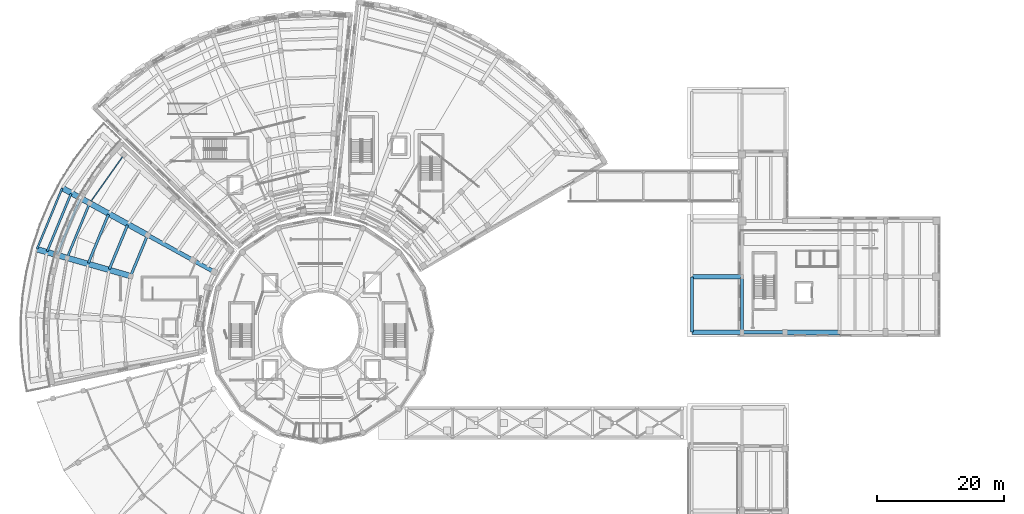
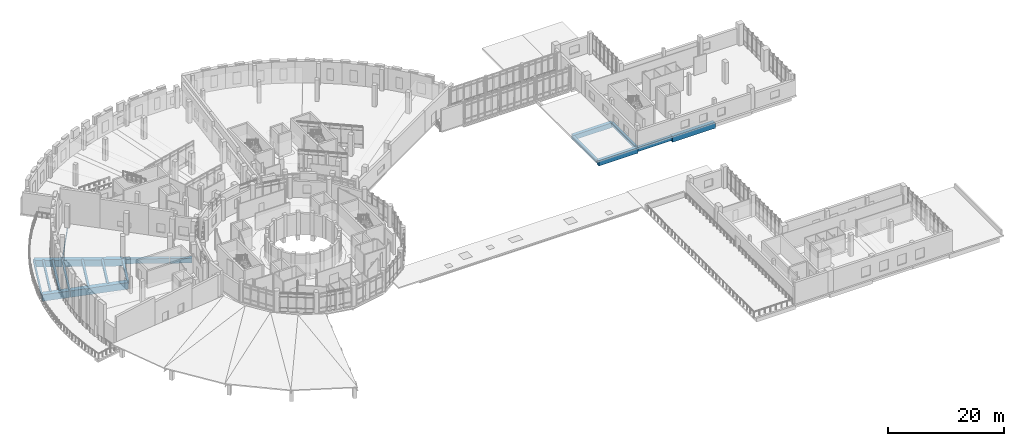
# One storey, part 17 of 75: 20 beams.
"""IFC4 building model written with IfcOpenShell, lengths in metres."""

from ifc_helpers import new_model, si_unit, direction, frame, origin, origin_2d, place, context, subcontext, project, spatial, rectangle, i_section, extrude, material, material_profile, profile_set, type_object, element, save


model = new_model("IFC4")

# Units and contexts
model_context = context("Model", 3, precision=1e-05, world=origin(), true_north=direction((0.0, 1.0)))
body_context = subcontext(model_context, "Body", "Model", "MODEL_VIEW")
ifc_project = project(units=[si_unit("LENGTHUNIT", "METRE"), si_unit("AREAUNIT", "SQUARE_METRE"), si_unit("VOLUMEUNIT", "CUBIC_METRE"), si_unit("PLANEANGLEUNIT", "RADIAN"), si_unit("MASSUNIT", "GRAM", prefix="KILO")], contexts=[model_context])

# Site, building, storey
site_placement = place(None, origin())
site = spatial("IfcSite", under=ifc_project, at=site_placement, CompositionType="ELEMENT")
building_placement = place(site_placement, origin())
building = spatial("IfcBuilding", under=site, at=building_placement, Name="Soyqirgoq Riverine Aquarium", CompositionType="ELEMENT")
storey_placement = place(building_placement, frame((0.0, 0.0, 10.199951171875)))
storey = spatial("IfcBuildingStorey", under=building, at=storey_placement, Name="L03", CompositionType="ELEMENT", Elevation=10.199951171875)

# Beams
ifc_material_1 = material(Name="Concrete C40/50", Category="concrete")
ifc_material_profile_1 = material_profile(ifc_material_1, rectangle(XDim=0.35009765625, YDim=0.60009765625, at=origin_2d()), Name="RC 350x600")
ifc_profile_set_1 = profile_set([ifc_material_profile_1], Name="Concrete C40/50")
beam_type_1 = type_object("IfcBeamType", Name="Beam_RC_350x600", PredefinedType="JOIST", material=ifc_profile_set_1)
beam_1_placement = place(storey_placement, frame((16.580078125, 78.602294921875, -0.579833984375), z_axis=(-0.381878309596, -0.924212614424, 0.0), x_axis=(0.924212614424, -0.381878309596, 0.0)))
element("IfcBeam", 1, at=beam_1_placement, inside=storey, type_object=beam_type_1, Name="V3 L03 Secondary Floor Joist 0457", PredefinedType="JOIST", context=body_context, shape_type="SweptSolid", body=[
    extrude(rectangle(XDim=0.35009765625, YDim=0.60009765625, at=origin_2d()), origin(), (0.0, 0.0, 1.0), 9.822998046875),
])
ifc_material_2 = material(Name="Concrete C40/50", Category="concrete")
ifc_material_profile_2 = material_profile(ifc_material_2, rectangle(XDim=0.39990234375, YDim=0.60009765625, at=origin_2d()), Name="RC 400x600")
ifc_profile_set_2 = profile_set([ifc_material_profile_2], Name="Concrete C40/50")
beam_type_2 = type_object("IfcBeamType", Name="Beam_RC_400x600", PredefinedType="JOIST", material=ifc_profile_set_2)
beam_2_placement = place(storey_placement, frame((22.50244140625, 75.332763671875, -0.579833984375), z_axis=(-0.381876463653, -0.924213377153, 0.0), x_axis=(0.924213377153, -0.381876463653, 0.0)))
element("IfcBeam", 2, at=beam_2_placement, inside=storey, type_object=beam_type_2, Name="V3 L03 Secondary Floor Joist 0445", PredefinedType="JOIST", context=body_context, shape_type="SweptSolid", body=[
    extrude(rectangle(XDim=0.39990234375, YDim=0.60009765625, at=origin_2d()), origin(), (0.0, 0.0, 1.0), 8.302734375),
])
beam_3_placement = place(storey_placement, frame((18.010009765625, 77.812744140625, -0.579833984375), z_axis=(-0.381863720074, -0.92421864258, 0.0), x_axis=(0.92421864258, -0.381863720074, 0.0)))
element("IfcBeam", 3, at=beam_3_placement, inside=storey, type_object=beam_type_2, Name="V3 L03 Secondary Floor Joist 0456", PredefinedType="JOIST", context=body_context, shape_type="SweptSolid", body=[
    extrude(rectangle(XDim=0.39990234375, YDim=0.60009765625, at=origin_2d()), origin(), (0.0, 0.0, 1.0), 9.455810546875),
])
ifc_material_3 = material(Name="Concrete C40/50", Category="concrete")
ifc_material_profile_3 = material_profile(ifc_material_3, rectangle(XDim=0.39990234375, YDim=0.64990234375, at=origin_2d()), Name="RC 400x650")
ifc_profile_set_3 = profile_set([ifc_material_profile_3], Name="Concrete C40/50")
beam_type_3 = type_object("IfcBeamType", Name="Beam_RC_400x650", PredefinedType="BEAM", material=ifc_profile_set_3)
beam_4_placement = place(storey_placement, frame((28.66650390625, 72.0322265625, -0.60498046875), z_axis=(-0.381899251328, -0.924203961166, 0.0), x_axis=(0.924203961166, -0.381899251328, 0.0)))
element("IfcBeam", 4, at=beam_4_placement, inside=storey, type_object=beam_type_3, Name="V3 L03 Wedge Chord Beam 0439", PredefinedType="BEAM", context=body_context, shape_type="SweptSolid", body=[
    extrude(rectangle(XDim=0.39990234375, YDim=0.64990234375, at=origin_2d()), origin(), (0.0, 0.0, 1.0), 6.909912109375),
])
beam_5_placement = place(storey_placement, frame((25.521484375, 73.666015625, -0.60498046875), z_axis=(-0.38187337807, -0.924214652081, 0.0), x_axis=(0.924214652081, -0.38187337807, 0.0)))
element("IfcBeam", 5, at=beam_5_placement, inside=storey, type_object=beam_type_3, Name="V3 L03 Secondary Floor Joist 0444", PredefinedType="BEAM", context=body_context, shape_type="SweptSolid", body=[
    extrude(rectangle(XDim=0.39990234375, YDim=0.64990234375, at=origin_2d()), origin(), (0.0, 0.0, 1.0), 7.528076171875),
])
ifc_material_4 = material(Name="Concrete C40/50", Category="concrete")
ifc_material_profile_4 = material_profile(ifc_material_4, rectangle(XDim=0.419921875, YDim=0.679931640625, at=origin_2d()), Name="RC 420x680")
ifc_profile_set_4 = profile_set([ifc_material_profile_4], Name="Concrete C40/50")
beam_type_4 = type_object("IfcBeamType", Name="Beam_RC_420x680", PredefinedType="BEAM", material=ifc_profile_set_4)
beam_6_placement = place(storey_placement, frame((122.60009765625, 56.75, -0.68994140625), z_axis=(0.0, 1.0, 0.0), x_axis=(-1.0, 0.0, 0.0)))
element("IfcBeam", 6, at=beam_6_placement, inside=storey, type_object=beam_type_4, Name="V7 L03 North-South Frame Beam 1366", PredefinedType="BEAM", context=body_context, shape_type="SweptSolid", body=[
    extrude(rectangle(XDim=0.419921875, YDim=0.679931640625, at=origin_2d()), origin(), (0.0, 0.0, 1.0), 8.699951171875),
])
ifc_material_5 = material(Name="Concrete C40/50", Category="concrete")
ifc_material_profile_5 = material_profile(ifc_material_5, rectangle(XDim=0.449951171875, YDim=0.64990234375, at=origin_2d()), Name="RC 450x650")
ifc_profile_set_5 = profile_set([ifc_material_profile_5], Name="Concrete C40/50")
beam_type_5 = type_object("IfcBeamType", Name="Beam_RC_450x650", PredefinedType="BEAM", material=ifc_profile_set_5)
beam_7_placement = place(storey_placement, frame((114.699951171875, 56.75, -0.675048828125), z_axis=(0.0, 1.0, 0.0), x_axis=(-1.0, 0.0, 0.0)))
element("IfcBeam", 7, at=beam_7_placement, inside=storey, type_object=beam_type_5, Name="V7 L03 North-South Frame Beam 1357", PredefinedType="BEAM", context=body_context, shape_type="SweptSolid", body=[
    extrude(rectangle(XDim=0.449951171875, YDim=0.64990234375, at=origin_2d()), origin(), (0.0, 0.0, 1.0), 8.699951171875),
])
ifc_material_6 = material(Name="Concrete C40/50", Category="concrete")
ifc_material_profile_6 = material_profile(ifc_material_6, rectangle(XDim=0.550048828125, YDim=0.85009765625, at=origin_2d()), Name="RC 550x850")
ifc_profile_set_6 = profile_set([ifc_material_profile_6], Name="Concrete C40/50")
beam_type_6 = type_object("IfcBeamType", Name="Girder_RC_550x850", PredefinedType="BEAM", material=ifc_profile_set_6)
beam_8_placement = place(storey_placement, frame((122.6201171875, 56.699951171875, -0.77490234375), z_axis=(1.0, 0.0, 0.0), x_axis=(0.0, 1.0, 0.0)))
element("IfcBeam", 8, at=beam_8_placement, inside=storey, type_object=beam_type_6, Name="V7 L03 East-West Frame Girder 1367", PredefinedType="BEAM", context=body_context, shape_type="SweptSolid", body=[
    extrude(rectangle(XDim=0.550048828125, YDim=0.85009765625, at=origin_2d()), origin(), (0.0, 0.0, 1.0), 6.759765625),
])
ifc_material_7 = material(Name="Concrete C40/50", Category="concrete")
ifc_material_profile_7 = material_profile(ifc_material_7, rectangle(XDim=0.64990234375, YDim=1.0, at=origin_2d()), Name="RC 650x1000")
ifc_profile_set_7 = profile_set([ifc_material_profile_7], Name="Concrete C40/50")
beam_type_7 = type_object("IfcBeamType", Name="Girder_RC_650x1000", PredefinedType="BEAM", material=ifc_profile_set_7)
beam_9_placement = place(storey_placement, frame((39.147216796875, 66.30322265625, -0.780029296875), z_axis=(-0.875468460736, 0.483275257235, 0.0), x_axis=(-0.483275257235, -0.875468460736, 0.0)))
element("IfcBeam", 9, at=beam_9_placement, inside=storey, type_object=beam_type_7, Name="V3 L03 Wedge Radial Girder 0416", PredefinedType="BEAM", context=body_context, shape_type="SweptSolid", body=[
    extrude(rectangle(XDim=0.64990234375, YDim=1.0, at=origin_2d()), origin(), (0.0, 0.0, 1.0), 3.75),
])
beam_10_placement = place(storey_placement, frame((35.776611328125, 68.163818359375, -0.780029296875), z_axis=(-0.875463091133, 0.483284984314, 0.0), x_axis=(-0.483284984314, -0.875463091133, 0.0)))
element("IfcBeam", 10, at=beam_10_placement, inside=storey, type_object=beam_type_7, Name="V3 L03 Wedge Radial Girder 0417", PredefinedType="BEAM", context=body_context, shape_type="SweptSolid", body=[
    extrude(rectangle(XDim=0.64990234375, YDim=1.0, at=origin_2d()), origin(), (0.0, 0.0, 1.0), 8.0498046875),
])
beam_11_placement = place(storey_placement, frame((114.719970703125, 65.5, -0.849853515625), z_axis=(1.0, 0.0, 0.0), x_axis=(0.0, 1.0, 0.0)))
element("IfcBeam", 11, at=beam_11_placement, inside=storey, type_object=beam_type_7, Name="V7 L03 East-West Frame Girder 1360", PredefinedType="BEAM", context=body_context, shape_type="SweptSolid", body=[
    extrude(rectangle(XDim=0.64990234375, YDim=1.0, at=origin_2d()), origin(), (0.0, 0.0, 1.0), 7.860107421875),
])
ifc_material_8 = material(Name="Concrete C40/50", Category="concrete")
ifc_material_profile_8 = material_profile(ifc_material_8, rectangle(XDim=0.699951171875, YDim=1.10009765625, at=origin_2d()), Name="RC 700x1100")
ifc_profile_set_8 = profile_set([ifc_material_profile_8], Name="Concrete C40/50")
beam_type_8 = type_object("IfcBeamType", Name="Girder_RC_700x1100", PredefinedType="BEAM", material=ifc_profile_set_8)
beam_12_placement = place(storey_placement, frame((114.719970703125, 56.699951171875, -0.89990234375), z_axis=(1.0, 0.0, 0.0), x_axis=(0.0, 1.0, 0.0)))
element("IfcBeam", 12, at=beam_12_placement, inside=storey, type_object=beam_type_8, Name="V7 L03 East-West Frame Girder 1358", PredefinedType="BEAM", context=body_context, shape_type="SweptSolid", body=[
    extrude(rectangle(XDim=0.699951171875, YDim=1.10009765625, at=origin_2d()), origin(), (0.0, 0.0, 1.0), 7.860107421875),
])
ifc_material_9 = material(Name="Concrete C40/50", Category="concrete")
ifc_material_profile_9 = material_profile(ifc_material_9, rectangle(XDim=0.800048828125, YDim=1.199951171875, at=origin_2d()), Name="RC 800x1200")
ifc_profile_set_9 = profile_set([ifc_material_profile_9], Name="Concrete C40/50")
beam_type_9 = type_object("IfcBeamType", Name="Girder_RC_800x1200", PredefinedType="BEAM", material=ifc_profile_set_9)
beam_13_placement = place(storey_placement, frame((129.419921875, 56.699951171875, -0.949951171875), z_axis=(1.0, 0.0, 0.0), x_axis=(0.0, 1.0, 0.0)))
element("IfcBeam", 13, at=beam_13_placement, inside=storey, type_object=beam_type_9, Name="V7 L03 East-West Frame Girder 1374", PredefinedType="BEAM", context=body_context, shape_type="SweptSolid", body=[
    extrude(rectangle(XDim=0.800048828125, YDim=1.199951171875, at=origin_2d()), origin(), (0.0, 0.0, 1.0), 8.56005859375),
])
ifc_material_10 = material(Name="Concrete C40/50", Category="concrete")
ifc_material_profile_10 = material_profile(ifc_material_10, rectangle(XDim=0.300048828125, YDim=0.5, at=origin_2d()), Name="RC 300x500")
ifc_profile_set_10 = profile_set([ifc_material_profile_10], Name="Concrete C40/50")
beam_type_10 = type_object("IfcBeamType", Name="Spandrel_RC_300x500", PredefinedType="SPANDREL", material=ifc_profile_set_10)
beam_14_placement = place(storey_placement, frame((15.184326171875, 79.474853515625, -0.530029296875), z_axis=(-0.381872079647, -0.924215188571, 0.0), x_axis=(0.924215188571, -0.381872079647, 0.0)))
element("IfcBeam", 14, at=beam_14_placement, inside=storey, type_object=beam_type_10, Name="V3 L03 Wedge Chord Beam 0463", PredefinedType="SPANDREL", context=body_context, shape_type="SweptSolid", body=[
    extrude(rectangle(XDim=0.300048828125, YDim=0.5, at=origin_2d()), origin(), (0.0, 0.0, 1.0), 10.369873046875),
])
ifc_material_11 = material(Name="Concrete C40/50", Category="concrete")
ifc_material_profile_11 = material_profile(ifc_material_11, rectangle(XDim=0.35009765625, YDim=0.5, at=origin_2d()), Name="RC 350x500")
ifc_profile_set_11 = profile_set([ifc_material_profile_11], Name="Concrete C40/50")
beam_type_11 = type_object("IfcBeamType", Name="Spandrel_RC_350x500", PredefinedType="SPANDREL", material=ifc_profile_set_11)
beam_15_placement = place(storey_placement, frame((19.517822265625, 77.08251953125, -0.530029296875), z_axis=(-0.381870346663, -0.924215904613, 0.0), x_axis=(0.924215904613, -0.381870346663, 0.0)))
element("IfcBeam", 15, at=beam_15_placement, inside=storey, type_object=beam_type_11, Name="V3 L03 Wedge Chord Beam 0451", PredefinedType="SPANDREL", context=body_context, shape_type="SweptSolid", body=[
    extrude(rectangle(XDim=0.35009765625, YDim=0.5, at=origin_2d()), origin(), (0.0, 0.0, 1.0), 9.257568359375),
])
ifc_material_12 = material(Name="Structural steel S355", Category="steel")
ifc_material_profile_12 = material_profile(ifc_material_12, i_section(OverallWidth=0.169921875, OverallDepth=0.360107421875, WebThickness=0.008056640625, FlangeThickness=0.0126953125, FilletRadius=0.01806640625, at=origin_2d()), Name="IPE 360")
ifc_profile_set_12 = profile_set([ifc_material_profile_12], Name="Structural steel S355")
beam_type_12 = type_object("IfcBeamType", Name="Spandrel_Steel_IPE360", PredefinedType="SPANDREL", material=ifc_profile_set_12)
beam_16_placement = place(storey_placement, frame((24.922119140625, 84.72021484375, -0.4599609375), z_axis=(-0.578573303227, -0.815630389817, 0.0), x_axis=(0.815630389817, -0.578573303227, 0.0)))
element("IfcBeam", 16, at=beam_16_placement, inside=storey, type_object=beam_type_12, Name="V3 L03 Wedge Chord Beam 0450", PredefinedType="SPANDREL", context=body_context, shape_type="SweptSolid", body=[
    extrude(i_section(OverallWidth=0.169921875, OverallDepth=0.360107421875, WebThickness=0.008056640625, FlangeThickness=0.0126953125, FilletRadius=0.01806640625, at=origin_2d()), origin(), (0.0, 0.0, 1.0), 9.257568359375),
])
ifc_material_13 = material(Name="Waterproof concrete C45/55", Category="concrete")
ifc_material_profile_13 = material_profile(ifc_material_13, rectangle(XDim=0.89990234375, YDim=1.39990234375, at=origin_2d()), Name="RC 900x1400")
ifc_profile_set_13 = profile_set([ifc_material_profile_13], Name="Waterproof concrete C45/55")
beam_type_13 = type_object("IfcBeamType", Name="TransferGirder_900x1400", PredefinedType="BEAM", material=ifc_profile_set_13)
beam_17_placement = place(storey_placement, frame((28.6416015625, 72.1025390625, -0.97998046875), z_axis=(-0.875459304087, 0.483291844425, 0.0), x_axis=(-0.483291844425, -0.875459304087, 0.0)))
element("IfcBeam", 17, at=beam_17_placement, inside=storey, type_object=beam_type_13, Name="V3 L03 Wedge Radial Girder 0418", PredefinedType="BEAM", context=body_context, shape_type="SweptSolid", body=[
    extrude(rectangle(XDim=0.89990234375, YDim=1.39990234375, at=origin_2d()), origin(), (0.0, 0.0, 1.0), 10.349853515625),
])
beam_18_placement = place(storey_placement, frame((19.4931640625, 77.15283203125, -0.97998046875), z_axis=(-0.875450635381, 0.483307547024, 0.0), x_axis=(-0.483307547024, -0.875450635381, 0.0)))
element("IfcBeam", 18, at=beam_18_placement, inside=storey, type_object=beam_type_13, Name="V3 L03 Wedge Radial Girder 0419", PredefinedType="BEAM", context=body_context, shape_type="SweptSolid", body=[
    extrude(rectangle(XDim=0.89990234375, YDim=1.39990234375, at=origin_2d()), origin(), (0.0, 0.0, 1.0), 4.849853515625),
])
beam_19_placement = place(storey_placement, frame((25.96044921875, 65.61376953125, -0.97998046875), z_axis=(-0.961260911346, 0.275640092002, 0.0), x_axis=(-0.275640092002, -0.961260911346, 0.0)))
element("IfcBeam", 19, at=beam_19_placement, inside=storey, type_object=beam_type_13, Name="V3 L03 Wedge Radial Girder 0420", PredefinedType="BEAM", context=body_context, shape_type="SweptSolid", body=[
    extrude(rectangle(XDim=0.89990234375, YDim=1.39990234375, at=origin_2d()), origin(), (0.0, 0.0, 1.0), 10.349609375),
])
beam_20_placement = place(storey_placement, frame((15.915283203125, 68.494140625, -0.97998046875), z_axis=(-0.961267073017, 0.275618603025, 0.0), x_axis=(-0.275618603025, -0.961267073017, 0.0)))
element("IfcBeam", 20, at=beam_20_placement, inside=storey, type_object=beam_type_13, Name="V3 L03 Wedge Radial Girder 0421", PredefinedType="BEAM", context=body_context, shape_type="SweptSolid", body=[
    extrude(rectangle(XDim=0.89990234375, YDim=1.39990234375, at=origin_2d()), origin(), (0.0, 0.0, 1.0), 4.849609375),
])

save(model, "model.ifc")
